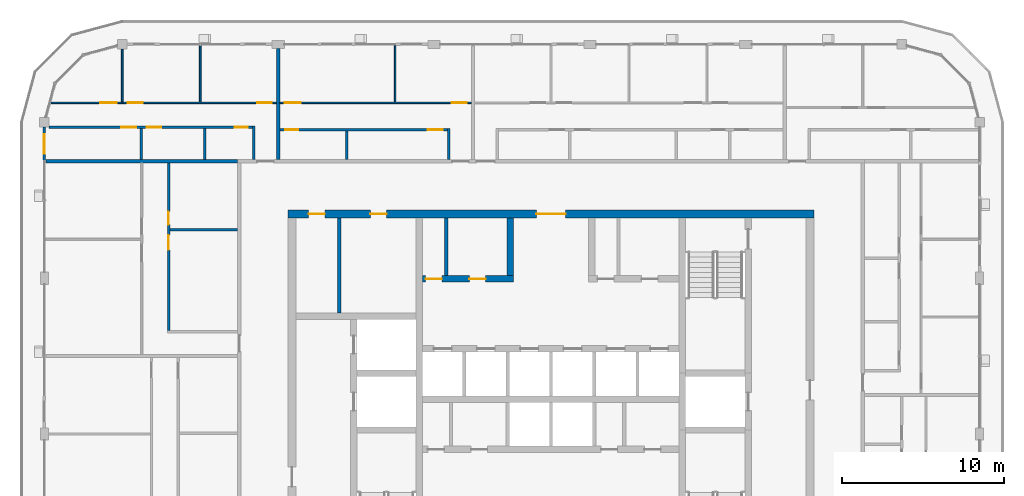
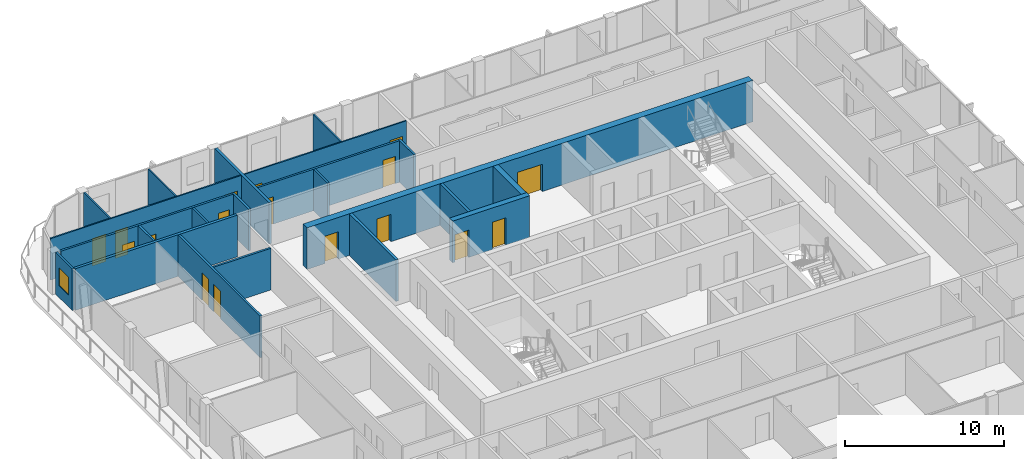
# One storey, part 13 of 22: 22 walls, 17 doors, 1 window, 18 openings.
"""IFC4 building model written with IfcOpenShell, lengths in metres."""

from ifc_helpers import new_model, si_unit, direction, frame, frame_2d, origin, place, context, subcontext, project, spatial, rectangle, extrude, material, layer, layer_set, type_object, element, fill, save


model = new_model("IFC4")

# Units and contexts
model_context = context("Model", 3, precision=1e-05, world=origin(), true_north=direction((0.0, 1.0)))
body_context = subcontext(model_context, "Body", "Model", "MODEL_VIEW")
ifc_project = project(units=[si_unit("LENGTHUNIT", "METRE"), si_unit("AREAUNIT", "SQUARE_METRE"), si_unit("VOLUMEUNIT", "CUBIC_METRE"), si_unit("PLANEANGLEUNIT", "RADIAN"), si_unit("MASSUNIT", "GRAM", prefix="KILO")], contexts=[model_context])

# Site, building, storey
site_placement = place(None, origin())
site = spatial("IfcSite", under=ifc_project, at=site_placement, CompositionType="ELEMENT")
building_placement = place(site_placement, origin())
building = spatial("IfcBuilding", under=site, at=building_placement, Name="Madar Terraces", CompositionType="ELEMENT")
storey_placement = place(building_placement, frame((0.0, 0.0, 279.10009765625)))
storey = spatial("IfcBuildingStorey", under=building, at=storey_placement, Name="L73", CompositionType="ELEMENT", Elevation=279.10009765625)

# Wall, openings, doors
ifc_material_1 = material(Name="Concrete C50/60", Category="concrete")
ifc_layer_1 = layer(ifc_material_1, 0.39990234375)
ifc_layer_set_1 = layer_set([ifc_layer_1], Name="Concrete C50/60 (CIW6 RC wall 400)")
wall_type_1 = type_object("IfcWallType", Name="CIW6 RC wall 400", PredefinedType="SHEAR", material=ifc_layer_set_1)
wall_1_placement = place(storey_placement, frame((23.300048828125, 33.550048828125, 0.0), z_axis=(0.0, 0.0, 1.0), x_axis=(1.0, 0.0, 0.0)))
wall_1 = element("IfcWall", 1, at=wall_1_placement, inside=storey, type_object=wall_type_1, Name="CORE SHAFT WALL", PredefinedType="SHEAR", context=body_context, shape_type="SweptSolid", body=[
    extrude(rectangle(XDim=5.599853515625, YDim=0.39990234375, at=frame_2d((2.7998046875, 0.0))), origin(), (0.0, 0.0, 1.0), 3.199951171875),
])
opening_1_placement = place(wall_1_placement, frame((0.177978515625, 0.0, 0.0)))
opening_1 = element("IfcOpeningElement", 2, at=opening_1_placement, cuts=wall_1, Name="Opening KD2", PredefinedType="OPENING", context=body_context, shape_type="SweptSolid", body=[
    extrude(rectangle(XDim=1.0, YDim=2.10009765625, at=frame_2d((0.5, 1.050048828125))), frame((0.0, 0.2099609375, 0.0), z_axis=(0.0, -1.0, 0.0), x_axis=(1.0, 0.0, 0.0)), (0.0, 0.0, 1.0), 0.419921875),
])
opening_2_placement = place(wall_1_placement, frame((2.8779296875, 0.0, 0.0)))
opening_2 = element("IfcOpeningElement", 3, at=opening_2_placement, cuts=wall_1, Name="Opening KD2", PredefinedType="OPENING", context=body_context, shape_type="SweptSolid", body=[
    extrude(rectangle(XDim=1.0, YDim=2.10009765625, at=frame_2d((0.5, 1.050048828125))), frame((0.0, 0.2099609375, 0.0), z_axis=(0.0, -1.0, 0.0), x_axis=(1.0, 0.0, 0.0)), (0.0, 0.0, 1.0), 0.419921875),
])
ifc_material_2 = material(Name="Steel door leaf", Category="steel")
door_type_1 = type_object("IfcDoorType", Name="Service room door 1000 x 2100", OperationType="NOTDEFINED", PredefinedType="DOOR", material=ifc_material_2)
door_1_placement = place(opening_1_placement, frame((1.0, 0.0, 0.0), z_axis=(0.0, 0.0, 1.0), x_axis=(-1.0, 0.0, 0.0)))
door_1 = element("IfcDoor", 4, at=door_1_placement, inside=storey, type_object=door_type_1, Name="SERVICE ROOM DOOR", OperationType="SINGLE_SWING_RIGHT", OverallHeight=2.10009765625, OverallWidth=1.0, PredefinedType="DOOR", context=body_context, shape_type="SweptSolid", body=[
    extrude(rectangle(XDim=1.0, YDim=2.10009765625, at=frame_2d((0.5, 1.050048828125))), frame((0.0, 0.02490234375, 0.0), z_axis=(0.0, -1.0, 0.0), x_axis=(1.0, 0.0, 0.0)), (0.0, 0.0, 1.0), 0.050048828125),
])
fill(opening_1, door_1)
door_2_placement = place(opening_2_placement, frame((1.0, 0.0, 0.0), z_axis=(0.0, 0.0, 1.0), x_axis=(-1.0, 0.0, 0.0)))
door_2 = element("IfcDoor", 5, at=door_2_placement, inside=storey, type_object=door_type_1, Name="SERVICE ROOM DOOR", OperationType="SINGLE_SWING_LEFT", OverallHeight=2.10009765625, OverallWidth=1.0, PredefinedType="DOOR", context=body_context, shape_type="SweptSolid", body=[
    extrude(rectangle(XDim=1.0, YDim=2.10009765625, at=frame_2d((0.5, 1.050048828125))), frame((0.0, 0.02490234375, 0.0), z_axis=(0.0, -1.0, 0.0), x_axis=(1.0, 0.0, 0.0)), (0.0, 0.0, 1.0), 0.050048828125),
])
fill(opening_2, door_2)

# Wall
wall_2_placement = place(storey_placement, frame((28.699951171875, 33.75, 0.0), z_axis=(0.0, 0.0, 1.0), x_axis=(0.0, 1.0, 0.0)))
element("IfcWall", 6, at=wall_2_placement, inside=storey, type_object=wall_type_1, Name="CORE SHAFT WALL", PredefinedType="SHEAR", context=body_context, shape_type="SweptSolid", body=[
    extrude(rectangle(XDim=3.550048828125, YDim=0.39990234375, at=frame_2d((1.77490234375, 0.0))), origin(), (0.0, 0.0, 1.0), 3.199951171875),
])

# Wall, openings, doors
ifc_material_3 = material(Name="Concrete C50/60", Category="concrete")
ifc_layer_2 = layer(ifc_material_3, 0.5)
ifc_layer_set_2 = layer_set([ifc_layer_2], Name="Concrete C50/60 (CRW6 RC wall 500)")
wall_type_2 = type_object("IfcWallType", Name="CRW6 RC wall 500", PredefinedType="SHEAR", material=ifc_layer_set_2)
wall_3_placement = place(storey_placement, frame((15.0, 37.550048828125, 0.0), z_axis=(0.0, 0.0, 1.0), x_axis=(1.0, 0.0, 0.0)))
wall_3 = element("IfcWall", 7, at=wall_3_placement, inside=storey, type_object=wall_type_2, Name="CORE OUTER WALL", PredefinedType="SHEAR", context=body_context, shape_type="SweptSolid", body=[
    extrude(rectangle(XDim=32.39990234375, YDim=0.5, at=frame_2d((16.199951171875, 0.0))), origin(), (0.0, 0.0, 1.0), 3.199951171875),
])
opening_3_placement = place(wall_3_placement, frame((15.300048828125, 0.0, 0.0)))
opening_3 = element("IfcOpeningElement", 8, at=opening_3_placement, cuts=wall_3, Name="Opening KD1", PredefinedType="OPENING", context=body_context, shape_type="SweptSolid", body=[
    extrude(rectangle(XDim=1.800048828125, YDim=2.10009765625, at=frame_2d((0.89990234375, 1.050048828125))), frame((0.0, 0.260009765625, 0.0), z_axis=(0.0, -1.0, 0.0), x_axis=(1.0, 0.0, 0.0)), (0.0, 0.0, 1.0), 0.52001953125),
])
opening_4_placement = place(wall_3_placement, frame((1.281982421875, 0.0, 0.0)))
opening_4 = element("IfcOpeningElement", 9, at=opening_4_placement, cuts=wall_3, Name="Opening KD2", PredefinedType="OPENING", context=body_context, shape_type="SweptSolid", body=[
    extrude(rectangle(XDim=1.0, YDim=2.10009765625, at=frame_2d((0.5, 1.050048828125))), frame((0.0, 0.260009765625, 0.0), z_axis=(0.0, -1.0, 0.0), x_axis=(1.0, 0.0, 0.0)), (0.0, 0.0, 1.0), 0.52001953125),
])
opening_5_placement = place(wall_3_placement, frame((5.08203125, 0.0, 0.0)))
opening_5 = element("IfcOpeningElement", 10, at=opening_5_placement, cuts=wall_3, Name="Opening KD2", PredefinedType="OPENING", context=body_context, shape_type="SweptSolid", body=[
    extrude(rectangle(XDim=1.0, YDim=2.10009765625, at=frame_2d((0.5, 1.050048828125))), frame((0.0, 0.260009765625, 0.0), z_axis=(0.0, -1.0, 0.0), x_axis=(1.0, 0.0, 0.0)), (0.0, 0.0, 1.0), 0.52001953125),
])
ifc_material_4 = material(Name="Steel door leaf", Category="steel")
door_type_2 = type_object("IfcDoorType", Name="Lobby door pair 1800 x 2100", OperationType="DOUBLE_DOOR_SINGLE_SWING", PredefinedType="DOOR", material=ifc_material_4)
door_3_placement = place(opening_3_placement, origin())
door_3 = element("IfcDoor", 11, at=door_3_placement, inside=storey, type_object=door_type_2, Name="LIFT LOBBY DOOR", OperationType="DOUBLE_DOOR_SINGLE_SWING", OverallHeight=2.10009765625, OverallWidth=1.800048828125, PredefinedType="DOOR", context=body_context, shape_type="SweptSolid", body=[
    extrude(rectangle(XDim=1.800048828125, YDim=2.10009765625, at=frame_2d((0.89990234375, 1.050048828125))), frame((0.0, 0.02490234375, 0.0), z_axis=(0.0, -1.0, 0.0), x_axis=(1.0, 0.0, 0.0)), (0.0, 0.0, 1.0), 0.050048828125),
])
fill(opening_3, door_3)
door_4_placement = place(opening_4_placement, origin())
door_4 = element("IfcDoor", 12, at=door_4_placement, inside=storey, type_object=door_type_1, Name="SERVICE ROOM DOOR", OperationType="SINGLE_SWING_RIGHT", OverallHeight=2.10009765625, OverallWidth=1.0, PredefinedType="DOOR", context=body_context, shape_type="SweptSolid", body=[
    extrude(rectangle(XDim=1.0, YDim=2.10009765625, at=frame_2d((0.5, 1.050048828125))), frame((0.0, 0.02490234375, 0.0), z_axis=(0.0, -1.0, 0.0), x_axis=(1.0, 0.0, 0.0)), (0.0, 0.0, 1.0), 0.050048828125),
])
fill(opening_4, door_4)
door_5_placement = place(opening_5_placement, origin())
door_5 = element("IfcDoor", 13, at=door_5_placement, inside=storey, type_object=door_type_1, Name="SERVICE ROOM DOOR", OperationType="SINGLE_SWING_LEFT", OverallHeight=2.10009765625, OverallWidth=1.0, PredefinedType="DOOR", context=body_context, shape_type="SweptSolid", body=[
    extrude(rectangle(XDim=1.0, YDim=2.10009765625, at=frame_2d((0.5, 1.050048828125))), frame((0.0, 0.02490234375, 0.0), z_axis=(0.0, -1.0, 0.0), x_axis=(1.0, 0.0, 0.0)), (0.0, 0.0, 1.0), 0.050048828125),
])
fill(opening_5, door_5)

# Walls
ifc_material_5 = material(Name="Masonry blockwork", Category="masonry")
ifc_layer_3 = layer(ifc_material_5, 0.199951171875)
ifc_layer_set_3 = layer_set([ifc_layer_3], Name="Core partition 200 blockwork")
wall_type_3 = type_object("IfcWallType", Name="Core partition 200 blockwork", PredefinedType="PARTITIONING", material=ifc_layer_set_3)
wall_4_placement = place(storey_placement, frame((18.1640625, 31.449951171875, 0.0), z_axis=(0.0, 0.0, 1.0), x_axis=(0.0, 1.0, 0.0)))
element("IfcWall", 14, at=wall_4_placement, inside=storey, type_object=wall_type_3, Name="SERVICE ROOM PARTITION", PredefinedType="PARTITIONING", context=body_context, shape_type="SweptSolid", body=[
    extrude(rectangle(XDim=5.85009765625, YDim=0.199951171875, at=frame_2d((2.925048828125, 0.0))), origin(), (0.0, 0.0, 1.0), 3.199951171875),
])
wall_5_placement = place(storey_placement, frame((24.756103515625, 33.75, 0.0), z_axis=(0.0, 0.0, 1.0), x_axis=(0.0, 1.0, 0.0)))
element("IfcWall", 15, at=wall_5_placement, inside=storey, type_object=wall_type_3, Name="SERVICE ROOM PARTITION", PredefinedType="PARTITIONING", context=body_context, shape_type="SweptSolid", body=[
    extrude(rectangle(XDim=3.550048828125, YDim=0.199951171875, at=frame_2d((1.77490234375, 0.0))), origin(), (0.0, 0.0, 1.0), 3.199951171875),
])

# Wall, opening, window
ifc_material_6 = material(Name="Aluminium composite panel, black, over insulated backing", Category="aluminium")
ifc_layer_4 = layer(ifc_material_6, 0.14990234375)
ifc_layer_set_4 = layer_set([ifc_layer_4], Name="Facade bay panel 150")
wall_type_4 = type_object("IfcWallType", Name="Facade bay panel 150", PredefinedType="SOLIDWALL", material=ifc_layer_set_4)
wall_6_placement = place(storey_placement, frame((0.0, 42.89990234375, 0.0), z_axis=(0.0, 0.0, 1.0), x_axis=(0.0, -1.0, 0.0)))
wall_6 = element("IfcWall", 16, at=wall_6_placement, inside=storey, type_object=wall_type_4, Name="Facade bay panel", PredefinedType="SOLIDWALL", context=body_context, shape_type="SweptSolid", body=[
    extrude(rectangle(XDim=2.099853515625, YDim=0.14990234375, at=frame_2d((1.0498046875, 0.0))), origin(), (0.0, 0.0, 1.0), 3.199951171875),
])
opening_6_placement = place(wall_6_placement, frame((0.449951171875, 0.0, 0.89990234375)))
opening_6 = element("IfcOpeningElement", 17, at=opening_6_placement, cuts=wall_6, Name="Opening W1", PredefinedType="OPENING", context=body_context, shape_type="SweptSolid", body=[
    extrude(rectangle(XDim=1.199951171875, YDim=1.39990234375, at=frame_2d((0.60009765625, 0.699951171875))), frame((0.0, 0.0849609375, 0.0), z_axis=(0.0, -1.0, 0.0), x_axis=(1.0, 0.0, 0.0)), (0.0, 0.0, 1.0), 0.169921875),
])
ifc_material_7 = material(Name="Glass, clear, with black aluminium frame", Category="aluminium")
window_type = type_object("IfcWindowType", Name="Vent window 1200 x 1400", PartitioningType="SINGLE_PANEL", PredefinedType="WINDOW", material=ifc_material_7)
window_placement = place(opening_6_placement, origin())
window = element("IfcWindow", 18, at=window_placement, inside=storey, type_object=window_type, Name="Operable vent window", OverallHeight=1.39990234375, OverallWidth=1.199951171875, PartitioningType="SINGLE_PANEL", PredefinedType="WINDOW", context=body_context, shape_type="SweptSolid", body=[
    extrude(rectangle(XDim=1.199951171875, YDim=1.39990234375, at=frame_2d((0.60009765625, 0.699951171875))), frame((0.0, 0.030029296875, 0.0), z_axis=(0.0, -1.0, 0.0), x_axis=(1.0, 0.0, 0.0)), (0.0, 0.0, 1.0), 0.06005859375),
])
fill(opening_6, window)

# Wall
ifc_material_8 = material(Name="Gypsum board on steel studs", Category="steel")
ifc_layer_5 = layer(ifc_material_8, 0.10009765625)
ifc_layer_set_5 = layer_set([ifc_layer_5], Name="Flat partition 100")
wall_type_5 = type_object("IfcWallType", Name="Flat partition 100", PredefinedType="PARTITIONING", material=ifc_layer_set_5)
wall_7_placement = place(storey_placement, frame((21.60009765625, 44.449951171875, 0.0), z_axis=(0.0, 0.0, 1.0), x_axis=(0.0, 1.0, 0.0)))
element("IfcWall", 19, at=wall_7_placement, inside=storey, type_object=wall_type_5, Name="Flat partition 100", PredefinedType="PARTITIONING", context=body_context, shape_type="SweptSolid", body=[
    extrude(rectangle(XDim=3.449951171875, YDim=0.10009765625, at=frame_2d((1.72509765625, 0.0))), origin(), (0.0, 0.0, 1.0), 3.199951171875),
])

# Wall, openings, doors
wall_8_placement = place(storey_placement, frame((14.5, 44.39990234375, 0.0), z_axis=(0.0, 0.0, 1.0), x_axis=(1.0, 0.0, 0.0)))
wall_8 = element("IfcWall", 20, at=wall_8_placement, inside=storey, type_object=wall_type_5, Name="Flat partition 100", PredefinedType="PARTITIONING", context=body_context, shape_type="SweptSolid", body=[
    extrude(rectangle(XDim=11.800048828125, YDim=0.10009765625, at=frame_2d((5.89990234375, 0.0))), origin(), (0.0, 0.0, 1.0), 3.199951171875),
])
opening_7_placement = place(wall_8_placement, frame((10.60009765625, 0.0, 0.0)))
opening_7 = element("IfcOpeningElement", 21, at=opening_7_placement, cuts=wall_8, Name="Opening D2", PredefinedType="OPENING", context=body_context, shape_type="SweptSolid", body=[
    extrude(rectangle(XDim=0.89990234375, YDim=2.10009765625, at=frame_2d((0.449951171875, 1.050048828125))), frame((0.0, 0.06005859375, 0.0), z_axis=(0.0, -1.0, 0.0), x_axis=(1.0, 0.0, 0.0)), (0.0, 0.0, 1.0), 0.1201171875),
])
opening_8_placement = place(wall_8_placement, frame((0.300048828125, 0.0, 0.0)))
opening_8 = element("IfcOpeningElement", 22, at=opening_8_placement, cuts=wall_8, Name="Opening D3", PredefinedType="OPENING", context=body_context, shape_type="SweptSolid", body=[
    extrude(rectangle(XDim=1.0, YDim=2.10009765625, at=frame_2d((0.5, 1.050048828125))), frame((0.0, 0.06005859375, 0.0), z_axis=(0.0, -1.0, 0.0), x_axis=(1.0, 0.0, 0.0)), (0.0, 0.0, 1.0), 0.1201171875),
])
ifc_material_9 = material(Name="Timber door leaf", Category="wood")
door_type_3 = type_object("IfcDoorType", Name="Flat living room door 1000", OperationType="NOTDEFINED", PredefinedType="DOOR", material=ifc_material_9)
door_6_placement = place(opening_8_placement, origin())
door_6 = element("IfcDoor", 23, at=door_6_placement, inside=storey, type_object=door_type_3, Name="Flat living room door 1000", OperationType="SINGLE_SWING_LEFT", OverallHeight=2.10009765625, OverallWidth=1.0, PredefinedType="DOOR", context=body_context, shape_type="SweptSolid", body=[
    extrude(rectangle(XDim=1.0, YDim=2.10009765625, at=frame_2d((0.5, 1.050048828125))), frame((0.0, 0.02490234375, 0.0), z_axis=(0.0, -1.0, 0.0), x_axis=(1.0, 0.0, 0.0)), (0.0, 0.0, 1.0), 0.050048828125),
])
fill(opening_8, door_6)
ifc_material_10 = material(Name="Timber door leaf", Category="wood")
door_type_4 = type_object("IfcDoorType", Name="Flat room door 900", OperationType="NOTDEFINED", PredefinedType="DOOR", material=ifc_material_10)
door_7_placement = place(opening_7_placement, origin())
door_7 = element("IfcDoor", 24, at=door_7_placement, inside=storey, type_object=door_type_4, Name="Flat room door 900", OperationType="SINGLE_SWING_RIGHT", OverallHeight=2.10009765625, OverallWidth=0.89990234375, PredefinedType="DOOR", context=body_context, shape_type="SweptSolid", body=[
    extrude(rectangle(XDim=0.89990234375, YDim=2.10009765625, at=frame_2d((0.449951171875, 1.050048828125))), frame((0.0, 0.02490234375, 0.0), z_axis=(0.0, -1.0, 0.0), x_axis=(1.0, 0.0, 0.0)), (0.0, 0.0, 1.0), 0.050048828125),
])
fill(opening_7, door_7)

# Walls
wall_9_placement = place(storey_placement, frame((9.60009765625, 44.449951171875, 0.0), z_axis=(0.0, 0.0, 1.0), x_axis=(0.0, 1.0, 0.0)))
element("IfcWall", 25, at=wall_9_placement, inside=storey, type_object=wall_type_5, Name="Flat partition 100", PredefinedType="PARTITIONING", context=body_context, shape_type="SweptSolid", body=[
    extrude(rectangle(XDim=3.449951171875, YDim=0.10009765625, at=frame_2d((1.72509765625, 0.0))), origin(), (0.0, 0.0, 1.0), 3.199951171875),
])
wall_10_placement = place(storey_placement, frame((4.800048828125, 44.449951171875, 0.0), z_axis=(0.0, 0.0, 1.0), x_axis=(0.0, 1.0, 0.0)))
element("IfcWall", 26, at=wall_10_placement, inside=storey, type_object=wall_type_5, Name="Flat partition 100", PredefinedType="PARTITIONING", context=body_context, shape_type="SweptSolid", body=[
    extrude(rectangle(XDim=3.25, YDim=0.10009765625, at=frame_2d((1.625, 0.0))), origin(), (0.0, 0.0, 1.0), 3.199951171875),
])

# Wall, openings, doors
wall_11_placement = place(storey_placement, frame((0.42138671875, 44.39990234375, 0.0), z_axis=(0.0, 0.0, 1.0), x_axis=(1.0, 0.0, 0.0)))
wall_11 = element("IfcWall", 27, at=wall_11_placement, inside=storey, type_object=wall_type_5, Name="Flat partition 100", PredefinedType="PARTITIONING", context=body_context, shape_type="SweptSolid", body=[
    extrude(rectangle(XDim=13.878662109375, YDim=0.10009765625, at=frame_2d((6.939453125, 0.0))), origin(), (0.0, 0.0, 1.0), 3.199951171875),
])
opening_9_placement = place(wall_11_placement, frame((12.678466796875, 0.0, 0.0)))
opening_9 = element("IfcOpeningElement", 28, at=opening_9_placement, cuts=wall_11, Name="Opening D2", PredefinedType="OPENING", context=body_context, shape_type="SweptSolid", body=[
    extrude(rectangle(XDim=0.89990234375, YDim=2.10009765625, at=frame_2d((0.449951171875, 1.050048828125))), frame((0.0, 0.06005859375, 0.0), z_axis=(0.0, -1.0, 0.0), x_axis=(1.0, 0.0, 0.0)), (0.0, 0.0, 1.0), 0.1201171875),
])
opening_10_placement = place(wall_11_placement, frame((4.728515625, 0.0, 0.0)))
opening_10 = element("IfcOpeningElement", 29, at=opening_10_placement, cuts=wall_11, Name="Opening D2", PredefinedType="OPENING", context=body_context, shape_type="SweptSolid", body=[
    extrude(rectangle(XDim=0.89990234375, YDim=2.10009765625, at=frame_2d((0.449951171875, 1.050048828125))), frame((0.0, 0.06005859375, 0.0), z_axis=(0.0, -1.0, 0.0), x_axis=(1.0, 0.0, 0.0)), (0.0, 0.0, 1.0), 0.1201171875),
])
opening_11_placement = place(wall_11_placement, frame((3.028564453125, 0.0, 0.0)))
opening_11 = element("IfcOpeningElement", 30, at=opening_11_placement, cuts=wall_11, Name="Opening D3", PredefinedType="OPENING", context=body_context, shape_type="SweptSolid", body=[
    extrude(rectangle(XDim=1.0, YDim=2.10009765625, at=frame_2d((0.5, 1.050048828125))), frame((0.0, 0.06005859375, 0.0), z_axis=(0.0, -1.0, 0.0), x_axis=(1.0, 0.0, 0.0)), (0.0, 0.0, 1.0), 0.1201171875),
])
door_8_placement = place(opening_11_placement, origin())
door_8 = element("IfcDoor", 31, at=door_8_placement, inside=storey, type_object=door_type_3, Name="Flat living room door 1000", OperationType="SINGLE_SWING_RIGHT", OverallHeight=2.10009765625, OverallWidth=1.0, PredefinedType="DOOR", context=body_context, shape_type="SweptSolid", body=[
    extrude(rectangle(XDim=1.0, YDim=2.10009765625, at=frame_2d((0.5, 1.050048828125))), frame((0.0, 0.02490234375, 0.0), z_axis=(0.0, -1.0, 0.0), x_axis=(1.0, 0.0, 0.0)), (0.0, 0.0, 1.0), 0.050048828125),
])
fill(opening_11, door_8)
door_9_placement = place(opening_9_placement, origin())
door_9 = element("IfcDoor", 32, at=door_9_placement, inside=storey, type_object=door_type_4, Name="Flat room door 900", OperationType="SINGLE_SWING_RIGHT", OverallHeight=2.10009765625, OverallWidth=0.89990234375, PredefinedType="DOOR", context=body_context, shape_type="SweptSolid", body=[
    extrude(rectangle(XDim=0.89990234375, YDim=2.10009765625, at=frame_2d((0.449951171875, 1.050048828125))), frame((0.0, 0.02490234375, 0.0), z_axis=(0.0, -1.0, 0.0), x_axis=(1.0, 0.0, 0.0)), (0.0, 0.0, 1.0), 0.050048828125),
])
fill(opening_9, door_9)
door_10_placement = place(opening_10_placement, origin())
door_10 = element("IfcDoor", 33, at=door_10_placement, inside=storey, type_object=door_type_4, Name="Flat room door 900", OperationType="SINGLE_SWING_LEFT", OverallHeight=2.10009765625, OverallWidth=0.89990234375, PredefinedType="DOOR", context=body_context, shape_type="SweptSolid", body=[
    extrude(rectangle(XDim=0.89990234375, YDim=2.10009765625, at=frame_2d((0.449951171875, 1.050048828125))), frame((0.0, 0.02490234375, 0.0), z_axis=(0.0, -1.0, 0.0), x_axis=(1.0, 0.0, 0.0)), (0.0, 0.0, 1.0), 0.050048828125),
])
fill(opening_10, door_10)

# Walls
ifc_material_11 = material(Name="Lightweight blockwork", Category="masonry")
ifc_layer_6 = layer(ifc_material_11, 0.199951171875)
ifc_layer_set_6 = layer_set([ifc_layer_6], Name="Flat party and entrance wall 200")
wall_type_6 = type_object("IfcWallType", Name="Flat party and entrance wall 200", PredefinedType="PARTITIONING", material=ifc_layer_set_6)
wall_12_placement = place(storey_placement, frame((14.39990234375, 47.75, 0.0), z_axis=(0.0, 0.0, 1.0), x_axis=(0.0, -1.0, 0.0)))
element("IfcWall", 34, at=wall_12_placement, inside=storey, type_object=wall_type_6, Name="Flat party and entrance wall 200", PredefinedType="PARTITIONING", context=body_context, shape_type="SweptSolid", body=[
    extrude(rectangle(XDim=6.85009765625, YDim=0.199951171875, at=frame_2d((3.425048828125, 0.0))), origin(), (0.0, 0.0, 1.0), 3.199951171875),
])
wall_13_placement = place(storey_placement, frame((0.10009765625, 40.800048828125, 0.0), z_axis=(0.0, 0.0, 1.0), x_axis=(1.0, 0.0, 0.0)))
element("IfcWall", 35, at=wall_13_placement, inside=storey, type_object=wall_type_6, Name="Flat party and entrance wall 200", PredefinedType="PARTITIONING", context=body_context, shape_type="SweptSolid", body=[
    extrude(rectangle(XDim=11.7998046875, YDim=0.199951171875, at=frame_2d((5.89990234375, 0.0))), origin(), (0.0, 0.0, 1.0), 3.199951171875),
])
ifc_material_12 = material(Name="Lightweight blockwork", Category="masonry")
ifc_layer_7 = layer(ifc_material_12, 0.14990234375)
ifc_layer_set_7 = layer_set([ifc_layer_7], Name="Flat wet-room partition 150")
wall_type_7 = type_object("IfcWallType", Name="Flat wet-room partition 150", PredefinedType="PARTITIONING", material=ifc_layer_set_7)
wall_14_placement = place(storey_placement, frame((18.6298828125, 40.89990234375, 0.0), z_axis=(0.0, 0.0, 1.0), x_axis=(0.0, 1.0, 0.0)))
element("IfcWall", 36, at=wall_14_placement, inside=storey, type_object=wall_type_7, Name="Flat wet-room partition 150", PredefinedType="PARTITIONING", context=body_context, shape_type="SweptSolid", body=[
    extrude(rectangle(XDim=1.775146484375, YDim=0.14990234375, at=frame_2d((0.8876953125, 0.0))), origin(), (0.0, 0.0, 1.0), 3.199951171875),
])
wall_15_placement = place(storey_placement, frame((24.89990234375, 40.89990234375, 0.0), z_axis=(0.0, 0.0, 1.0), x_axis=(0.0, 1.0, 0.0)))
element("IfcWall", 37, at=wall_15_placement, inside=storey, type_object=wall_type_7, Name="Flat wet-room partition 150", PredefinedType="PARTITIONING", context=body_context, shape_type="SweptSolid", body=[
    extrude(rectangle(XDim=1.925048828125, YDim=0.14990234375, at=frame_2d((0.96240234375, 0.0))), origin(), (0.0, 0.0, 1.0), 3.199951171875),
])

# Wall, openings, doors
wall_16_placement = place(storey_placement, frame((24.824951171875, 42.75, 0.0), z_axis=(0.0, 0.0, 1.0), x_axis=(-1.0, 0.0, 0.0)))
wall_16 = element("IfcWall", 38, at=wall_16_placement, inside=storey, type_object=wall_type_7, Name="Flat wet-room partition 150", PredefinedType="PARTITIONING", context=body_context, shape_type="SweptSolid", body=[
    extrude(rectangle(XDim=10.324951171875, YDim=0.14990234375, at=frame_2d((5.16259765625, 0.0))), origin(), (0.0, 0.0, 1.0), 3.199951171875),
])
opening_12_placement = place(wall_16_placement, frame((0.300048828125, 0.0, 0.0)))
opening_12 = element("IfcOpeningElement", 39, at=opening_12_placement, cuts=wall_16, Name="Opening D2", PredefinedType="OPENING", context=body_context, shape_type="SweptSolid", body=[
    extrude(rectangle(XDim=0.89990234375, YDim=2.10009765625, at=frame_2d((0.449951171875, 1.050048828125))), frame((0.0, 0.0849609375, 0.0), z_axis=(0.0, -1.0, 0.0), x_axis=(1.0, 0.0, 0.0)), (0.0, 0.0, 1.0), 0.169921875),
])
opening_13_placement = place(wall_16_placement, frame((9.175048828125, 0.0, 0.0)))
opening_13 = element("IfcOpeningElement", 40, at=opening_13_placement, cuts=wall_16, Name="Opening D4", PredefinedType="OPENING", context=body_context, shape_type="SweptSolid", body=[
    extrude(rectangle(XDim=0.800048828125, YDim=2.10009765625, at=frame_2d((0.39990234375, 1.050048828125))), frame((0.0, 0.0849609375, 0.0), z_axis=(0.0, -1.0, 0.0), x_axis=(1.0, 0.0, 0.0)), (0.0, 0.0, 1.0), 0.169921875),
])
ifc_material_13 = material(Name="Timber door leaf", Category="wood")
door_type_5 = type_object("IfcDoorType", Name="Flat bathroom door 800", OperationType="NOTDEFINED", PredefinedType="DOOR", material=ifc_material_13)
door_11_placement = place(opening_13_placement, origin())
door_11 = element("IfcDoor", 41, at=door_11_placement, inside=storey, type_object=door_type_5, Name="Flat bathroom door 800", OperationType="SINGLE_SWING_RIGHT", OverallHeight=2.10009765625, OverallWidth=0.800048828125, PredefinedType="DOOR", context=body_context, shape_type="SweptSolid", body=[
    extrude(rectangle(XDim=0.800048828125, YDim=2.10009765625, at=frame_2d((0.39990234375, 1.050048828125))), frame((0.0, 0.02490234375, 0.0), z_axis=(0.0, -1.0, 0.0), x_axis=(1.0, 0.0, 0.0)), (0.0, 0.0, 1.0), 0.050048828125),
])
fill(opening_13, door_11)
door_12_placement = place(opening_12_placement, origin())
door_12 = element("IfcDoor", 42, at=door_12_placement, inside=storey, type_object=door_type_4, Name="Flat room door 900", OperationType="SINGLE_SWING_LEFT", OverallHeight=2.10009765625, OverallWidth=0.89990234375, PredefinedType="DOOR", context=body_context, shape_type="SweptSolid", body=[
    extrude(rectangle(XDim=0.89990234375, YDim=2.10009765625, at=frame_2d((0.449951171875, 1.050048828125))), frame((0.0, 0.02490234375, 0.0), z_axis=(0.0, -1.0, 0.0), x_axis=(1.0, 0.0, 0.0)), (0.0, 0.0, 1.0), 0.050048828125),
])
fill(opening_12, door_12)

# Walls
for number, where, z_axis, x_axis, name in (
    (43, (9.888427734375, 40.89990234375, 0.0), (0.0, 0.0, 1.0), (0.0, 1.0, 0.0), "Flat wet-room partition 150"),
    (44, (5.97314453125, 40.89990234375, 0.0), (0.0, 0.0, 1.0), (0.0, 1.0, 0.0), "Flat wet-room partition 150"),
):
    element("IfcWall", number, at=place(storey_placement, frame(where, z_axis=z_axis, x_axis=x_axis)), inside=storey, type_object=wall_type_7, Name=name, PredefinedType="PARTITIONING", context=body_context, shape_type="SweptSolid", body=[
        extrude(rectangle(XDim=1.925048828125, YDim=0.14990234375, at=frame_2d((0.96240234375, 0.0))), origin(), (0.0, 0.0, 1.0), 3.199951171875),
    ])
wall_17_placement = place(storey_placement, frame((12.89990234375, 40.89990234375, 0.0), z_axis=(0.0, 0.0, 1.0), x_axis=(0.0, 1.0, 0.0)))
element("IfcWall", 45, at=wall_17_placement, inside=storey, type_object=wall_type_7, Name="Flat wet-room partition 150", PredefinedType="PARTITIONING", context=body_context, shape_type="SweptSolid", body=[
    extrude(rectangle(XDim=2.0751953125, YDim=0.14990234375, at=frame_2d((1.03759765625, 0.0))), origin(), (0.0, 0.0, 1.0), 3.199951171875),
])

# Wall, openings, doors
wall_18_placement = place(storey_placement, frame((12.824951171875, 42.89990234375, 0.0), z_axis=(0.0, 0.0, 1.0), x_axis=(-1.0, 0.0, 0.0)))
wall_18 = element("IfcWall", 46, at=wall_18_placement, inside=storey, type_object=wall_type_7, Name="Flat wet-room partition 150", PredefinedType="PARTITIONING", context=body_context, shape_type="SweptSolid", body=[
    extrude(rectangle(XDim=12.52490234375, YDim=0.14990234375, at=frame_2d((6.262451171875, 0.0))), origin(), (0.0, 0.0, 1.0), 3.199951171875),
])
opening_14_placement = place(wall_18_placement, frame((0.300048828125, 0.0, 0.0)))
opening_14 = element("IfcOpeningElement", 47, at=opening_14_placement, cuts=wall_18, Name="Opening D4", PredefinedType="OPENING", context=body_context, shape_type="SweptSolid", body=[
    extrude(rectangle(XDim=0.800048828125, YDim=2.10009765625, at=frame_2d((0.39990234375, 1.050048828125))), frame((0.0, 0.0849609375, 0.0), z_axis=(0.0, -1.0, 0.0), x_axis=(1.0, 0.0, 0.0)), (0.0, 0.0, 1.0), 0.169921875),
])
opening_15_placement = place(wall_18_placement, frame((5.626953125, 0.0, 0.0)))
opening_15 = element("IfcOpeningElement", 48, at=opening_15_placement, cuts=wall_18, Name="Opening D5", PredefinedType="OPENING", context=body_context, shape_type="SweptSolid", body=[
    extrude(rectangle(XDim=0.89990234375, YDim=2.10009765625, at=frame_2d((0.449951171875, 1.050048828125))), frame((0.0, 0.0849609375, 0.0), z_axis=(0.0, -1.0, 0.0), x_axis=(1.0, 0.0, 0.0)), (0.0, 0.0, 1.0), 0.169921875),
])
opening_16_placement = place(wall_18_placement, frame((7.177001953125, 0.0, 0.0)))
opening_16 = element("IfcOpeningElement", 49, at=opening_16_placement, cuts=wall_18, Name="Opening D2", PredefinedType="OPENING", context=body_context, shape_type="SweptSolid", body=[
    extrude(rectangle(XDim=0.89990234375, YDim=2.10009765625, at=frame_2d((0.449951171875, 1.050048828125))), frame((0.0, 0.0849609375, 0.0), z_axis=(0.0, -1.0, 0.0), x_axis=(1.0, 0.0, 0.0)), (0.0, 0.0, 1.0), 0.169921875),
])
ifc_material_14 = material(Name="Timber door leaf", Category="wood")
door_type_6 = type_object("IfcDoorType", Name="Flat accessible bathroom door 900", OperationType="NOTDEFINED", PredefinedType="DOOR", material=ifc_material_14)
door_13_placement = place(opening_15_placement, origin())
door_13 = element("IfcDoor", 50, at=door_13_placement, inside=storey, type_object=door_type_6, Name="Flat accessible bathroom door 900", OperationType="SINGLE_SWING_RIGHT", OverallHeight=2.10009765625, OverallWidth=0.89990234375, PredefinedType="DOOR", context=body_context, shape_type="SweptSolid", body=[
    extrude(rectangle(XDim=0.89990234375, YDim=2.10009765625, at=frame_2d((0.449951171875, 1.050048828125))), frame((0.0, 0.02490234375, 0.0), z_axis=(0.0, -1.0, 0.0), x_axis=(1.0, 0.0, 0.0)), (0.0, 0.0, 1.0), 0.050048828125),
])
fill(opening_15, door_13)
door_14_placement = place(opening_14_placement, origin())
door_14 = element("IfcDoor", 51, at=door_14_placement, inside=storey, type_object=door_type_5, Name="Flat bathroom door 800", OperationType="SINGLE_SWING_LEFT", OverallHeight=2.10009765625, OverallWidth=0.800048828125, PredefinedType="DOOR", context=body_context, shape_type="SweptSolid", body=[
    extrude(rectangle(XDim=0.800048828125, YDim=2.10009765625, at=frame_2d((0.39990234375, 1.050048828125))), frame((0.0, 0.02490234375, 0.0), z_axis=(0.0, -1.0, 0.0), x_axis=(1.0, 0.0, 0.0)), (0.0, 0.0, 1.0), 0.050048828125),
])
fill(opening_14, door_14)
door_15_placement = place(opening_16_placement, origin())
door_15 = element("IfcDoor", 52, at=door_15_placement, inside=storey, type_object=door_type_4, Name="Flat room door 900", OperationType="SINGLE_SWING_LEFT", OverallHeight=2.10009765625, OverallWidth=0.89990234375, PredefinedType="DOOR", context=body_context, shape_type="SweptSolid", body=[
    extrude(rectangle(XDim=0.89990234375, YDim=2.10009765625, at=frame_2d((0.449951171875, 1.050048828125))), frame((0.0, 0.02490234375, 0.0), z_axis=(0.0, -1.0, 0.0), x_axis=(1.0, 0.0, 0.0)), (0.0, 0.0, 1.0), 0.050048828125),
])
fill(opening_16, door_15)

# Wall
wall_19_placement = place(storey_placement, frame((11.89990234375, 36.570068359375, 0.0), z_axis=(0.0, 0.0, 1.0), x_axis=(-1.0, 0.0, 0.0)))
element("IfcWall", 53, at=wall_19_placement, inside=storey, type_object=wall_type_7, Name="Flat wet-room partition 150", PredefinedType="PARTITIONING", context=body_context, shape_type="SweptSolid", body=[
    extrude(rectangle(XDim=4.1748046875, YDim=0.14990234375, at=frame_2d((2.08740234375, 0.0))), origin(), (0.0, 0.0, 1.0), 3.199951171875),
])

# Wall, openings, doors
wall_20_placement = place(storey_placement, frame((7.64990234375, 40.699951171875, 0.0), z_axis=(0.0, 0.0, 1.0), x_axis=(0.0, -1.0, 0.0)))
wall_20 = element("IfcWall", 54, at=wall_20_placement, inside=storey, type_object=wall_type_7, Name="Flat wet-room partition 150", PredefinedType="PARTITIONING", context=body_context, shape_type="SweptSolid", body=[
    extrude(rectangle(XDim=10.324951171875, YDim=0.14990234375, at=frame_2d((5.16259765625, 0.0))), origin(), (0.0, 0.0, 1.0), 3.199951171875),
])
opening_17_placement = place(wall_20_placement, frame((4.455078125, 0.0, 0.0)))
opening_17 = element("IfcOpeningElement", 55, at=opening_17_placement, cuts=wall_20, Name="Opening D2", PredefinedType="OPENING", context=body_context, shape_type="SweptSolid", body=[
    extrude(rectangle(XDim=0.89990234375, YDim=2.10009765625, at=frame_2d((0.449951171875, 1.050048828125))), frame((0.0, 0.0849609375, 0.0), z_axis=(0.0, -1.0, 0.0), x_axis=(1.0, 0.0, 0.0)), (0.0, 0.0, 1.0), 0.169921875),
])
opening_18_placement = place(wall_20_placement, frame((3.0048828125, 0.0, 0.0)))
opening_18 = element("IfcOpeningElement", 56, at=opening_18_placement, cuts=wall_20, Name="Opening D4", PredefinedType="OPENING", context=body_context, shape_type="SweptSolid", body=[
    extrude(rectangle(XDim=0.800048828125, YDim=2.10009765625, at=frame_2d((0.39990234375, 1.050048828125))), frame((0.0, 0.0849609375, 0.0), z_axis=(0.0, -1.0, 0.0), x_axis=(1.0, 0.0, 0.0)), (0.0, 0.0, 1.0), 0.169921875),
])
door_16_placement = place(opening_18_placement, origin())
door_16 = element("IfcDoor", 57, at=door_16_placement, inside=storey, type_object=door_type_5, Name="Flat bathroom door 800", OperationType="SINGLE_SWING_RIGHT", OverallHeight=2.10009765625, OverallWidth=0.800048828125, PredefinedType="DOOR", context=body_context, shape_type="SweptSolid", body=[
    extrude(rectangle(XDim=0.800048828125, YDim=2.10009765625, at=frame_2d((0.39990234375, 1.050048828125))), frame((0.0, 0.02490234375, 0.0), z_axis=(0.0, -1.0, 0.0), x_axis=(1.0, 0.0, 0.0)), (0.0, 0.0, 1.0), 0.050048828125),
])
fill(opening_18, door_16)
door_17_placement = place(opening_17_placement, origin())
door_17 = element("IfcDoor", 58, at=door_17_placement, inside=storey, type_object=door_type_4, Name="Flat room door 900", OperationType="SINGLE_SWING_LEFT", OverallHeight=2.10009765625, OverallWidth=0.89990234375, PredefinedType="DOOR", context=body_context, shape_type="SweptSolid", body=[
    extrude(rectangle(XDim=0.89990234375, YDim=2.10009765625, at=frame_2d((0.449951171875, 1.050048828125))), frame((0.0, 0.02490234375, 0.0), z_axis=(0.0, -1.0, 0.0), x_axis=(1.0, 0.0, 0.0)), (0.0, 0.0, 1.0), 0.050048828125),
])
fill(opening_17, door_17)

save(model, "model.ifc")
